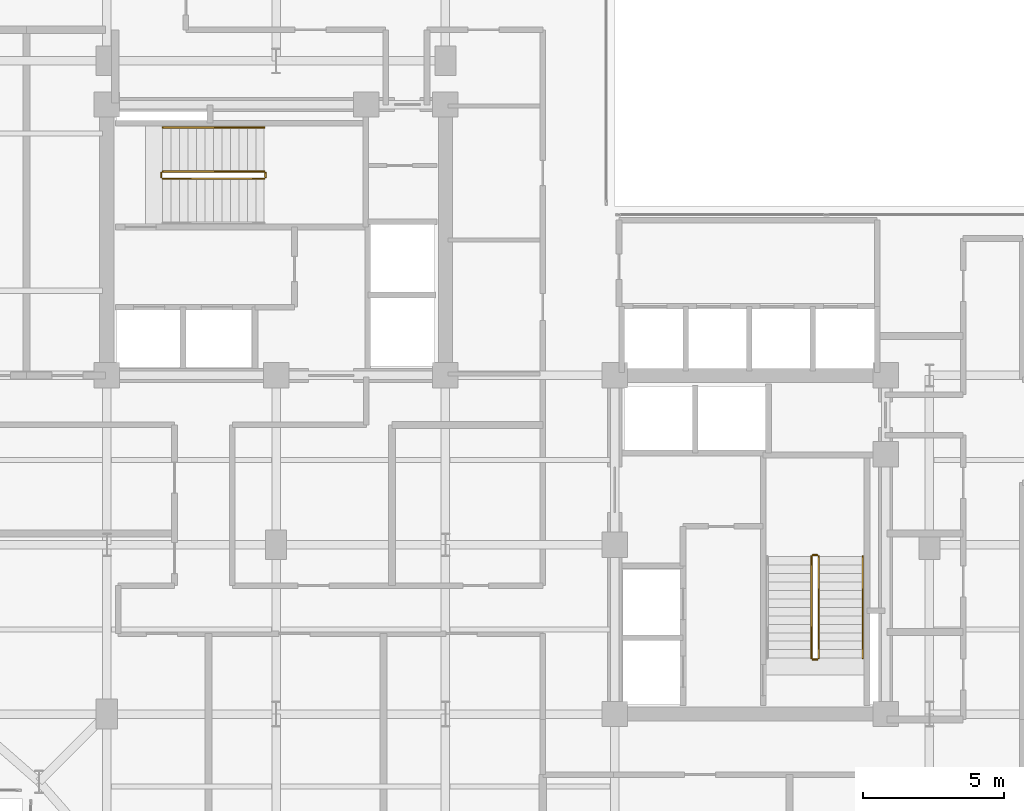
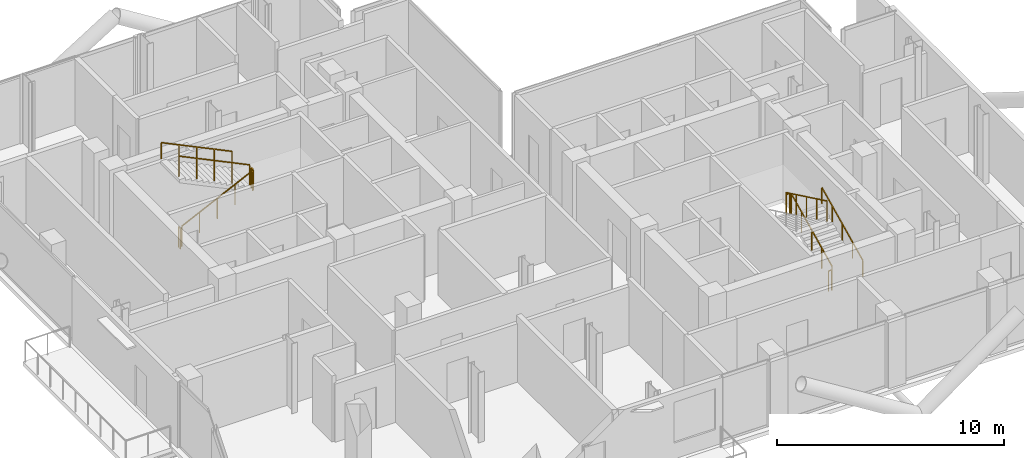
# One storey, part 21 of 21: 10 railings.
"""IFC4 building model written with IfcOpenShell, lengths in metres."""

import ifcopenshell
import ifcopenshell.guid

model = None  # the IFC model being written
_history = None  # IfcOwnerHistory: only IFC2X3 demands one
_inside = {}  # id of a spatial element -> (the spatial element, [elements in it])
_under = {}  # id of a project, library or spatial element -> (it, [spatial elements below it])
_declared = {}  # id of a project -> (the project, [libraries it declares])
_typed = {}  # id of a type object -> (the type object, [elements of that type])
_made_of = {}  # id of a material, layer set ... -> (it, [elements and type objects made of it])


def new_model(schema):
    """Start an empty IFC model of exactly this schema.

    Asked for "IFC4X3", IfcOpenShell would pick the latest addendum, in which some entities
    have other attributes; the version numbers below select the first issue.
    IFC2X3 requires an IfcOwnerHistory on every rooted entity: one is made here for all.
    """
    global model, _history
    if schema == "IFC4X3":
        model = ifcopenshell.file(schema_version=(4, 3, 0, 0))
    else:
        model = ifcopenshell.file(schema=schema)
    _inside.clear()
    _under.clear()
    _declared.clear()
    _typed.clear()
    _made_of.clear()
    _history = None
    if model.schema == "IFC2X3":
        org = make("IfcOrganization", Name="unknown")
        user = make(
            "IfcPersonAndOrganization",
            ThePerson=make("IfcPerson", FamilyName="unknown"),
            TheOrganization=org,
        )
        app = make(
            "IfcApplication",
            ApplicationDeveloper=org,
            Version="unknown",
            ApplicationFullName="unknown",
            ApplicationIdentifier="unknown",
        )
        _history = make(
            "IfcOwnerHistory",
            OwningUser=user,
            OwningApplication=app,
            ChangeAction="ADDED",
            CreationDate=0,
        )
    return model


def make(cls, **values):
    """One entity of the class cls with the attributes given. An attribute that is None is left unset."""
    return model.create_entity(
        cls, **{name: value for name, value in values.items() if value is not None}
    )


def rooted(cls, **values):
    """An entity with a GlobalId (a new one), such as an element, a storey or a relation."""
    return make(cls, GlobalId=ifcopenshell.guid.new(), OwnerHistory=_history, **values)


def si_unit(unit_type, name, prefix=None):
    """IfcSIUnit, for example si_unit("LENGTHUNIT", "METRE", prefix="MILLI")."""
    return make("IfcSIUnit", UnitType=unit_type, Prefix=prefix, Name=name)


def assignment(units):
    """IfcUnitAssignment: the units of a project."""
    return None if units is None else make("IfcUnitAssignment", Units=units)


def point(xyz):
    """IfcCartesianPoint."""
    return None if xyz is None else make("IfcCartesianPoint", Coordinates=xyz)


def direction(xyz):
    """IfcDirection."""
    return None if xyz is None else make("IfcDirection", DirectionRatios=xyz)


def frame(location, z_axis=None, x_axis=None):
    """IfcAxis2Placement3D, a coordinate frame: its origin and axes. An axis left out is left unset."""
    return make(
        "IfcAxis2Placement3D",
        Location=point(location),
        Axis=direction(z_axis),
        RefDirection=direction(x_axis),
    )


def frame_2d(location, x_axis=None):
    """IfcAxis2Placement2D, a coordinate frame in the plane: its origin and x axis."""
    return make(
        "IfcAxis2Placement2D", Location=point(location), RefDirection=direction(x_axis)
    )


def origin():
    """The frame at (0, 0, 0) with its axes left unset."""
    return frame((0.0, 0.0, 0.0))


def origin_2d():
    """The frame at (0, 0) in the plane with its x axis left unset."""
    return frame_2d((0.0, 0.0))


def place(relative_to, where):
    """IfcLocalPlacement: puts the frame where relative to a parent placement (None: the world)."""
    return make(
        "IfcLocalPlacement", PlacementRelTo=relative_to, RelativePlacement=where
    )


def context(
    kind, dimensions, precision=None, world=None, true_north=None, identifier=None
):
    """IfcGeometricRepresentationContext, for example the 3D "Model" context."""
    return make(
        "IfcGeometricRepresentationContext",
        ContextIdentifier=identifier,
        ContextType=kind,
        CoordinateSpaceDimension=dimensions,
        Precision=precision,
        WorldCoordinateSystem=world,
        TrueNorth=true_north,
    )


def subcontext(parent, identifier, kind, view, scale=None):
    """IfcGeometricRepresentationSubContext, for example "Body" below "Model"."""
    return make(
        "IfcGeometricRepresentationSubContext",
        ContextIdentifier=identifier,
        ContextType=kind,
        ParentContext=parent,
        TargetScale=scale,
        TargetView=view,
    )


def project(units=None, contexts=None):
    """IfcProject with its units and contexts."""
    return rooted(
        "IfcProject",
        Name="project",
        RepresentationContexts=contexts,
        UnitsInContext=assignment(units),
    )


def spatial(cls, under=None, at=None, **own):
    """A site, building, storey or space (cls), placed at a placement, below another one or the project."""
    s = rooted(cls, ObjectPlacement=at, **own)
    if under is not None:
        _under.setdefault(under.id(), (under, []))[1].append(s)
    return s


def profile(cls, at=None, kind="AREA", **sizes):
    """A parametric profile (cls). Its sizes go by their IFC names, for example OverallWidth=200.0."""
    return make(cls, ProfileType=kind, Position=at, **sizes)


def rectangle(**sizes):
    """IfcRectangleProfileDef."""
    return profile("IfcRectangleProfileDef", **sizes)


def extrude(swept, where, along, depth):
    """IfcExtrudedAreaSolid: the profile swept, set in the frame where, extruded along a direction by depth."""
    return make(
        "IfcExtrudedAreaSolid",
        SweptArea=swept,
        Position=where,
        ExtrudedDirection=direction(along),
        Depth=depth,
    )


def shape(context_of_items, identifier, shape_type, items):
    """IfcShapeRepresentation: the items that make up one representation, for example the "Body"."""
    return make(
        "IfcShapeRepresentation",
        ContextOfItems=context_of_items,
        RepresentationIdentifier=identifier,
        RepresentationType=shape_type,
        Items=items,
    )


def material(Name=None, Category=None):
    """IfcMaterial."""
    return make("IfcMaterial", Name=Name, Category=Category)


def made_of(thing, what):
    """Note that an element or type object is made of a material, layer set ...; save() writes the relation."""
    if what is not None:
        _made_of.setdefault(what.id(), (what, []))[1].append(thing)
    return thing


def type_object(cls, material=None, **own):
    """A type object (cls), such as IfcWallType, which elements share."""
    return made_of(rooted(cls, **own), material)


def element(
    cls,
    number,
    at=None,
    inside=None,
    cuts=None,
    type_object=None,
    material=None,
    context=None,
    identifier="Body",
    shape_type=None,
    held_by="IfcProductDefinitionShape",
    body=None,
    shapes=None,
    **own,
):
    """One element of the class cls, such as IfcWall. Its Tag is "e" and its number.

    at: its placement. inside: the storey or other place that contains it. cuts: it is an
    opening in that element (IfcRelVoidsElement). A single representation is given by context,
    identifier, shape_type and body (its items); several are given by shapes. held_by: the class
    of the entity that holds the representations. save() writes the other relations.
    """
    e = rooted(cls, Tag="e%d" % number, ObjectPlacement=at, **own)
    if body is not None:
        shapes = [shape(context, identifier, shape_type, body)]
    if shapes is not None:
        e.Representation = make(held_by, Representations=shapes)
    if inside is not None:
        _inside.setdefault(inside.id(), (inside, []))[1].append(e)
    if cuts is not None:
        rooted(
            "IfcRelVoidsElement", RelatingBuildingElement=cuts, RelatedOpeningElement=e
        )
    if type_object is not None:
        _typed.setdefault(type_object.id(), (type_object, []))[1].append(e)
    return made_of(e, material)


def aggregate(whole, parts):
    """IfcRelAggregates: a whole, such as a stair, and the parts it consists of."""
    return rooted("IfcRelAggregates", RelatingObject=whole, RelatedObjects=parts)


def save(model, path):
    """Write the relations noted so far, then the file.

    IfcRelAggregates (storeys below a building ...), IfcRelContainedInSpatialStructure (elements
    in a storey), IfcRelDefinesByType, IfcRelAssociatesMaterial and IfcRelDeclares: one each for
    every whole, place, type object, material and project.
    """
    for whole, parts in _under.values():
        aggregate(whole, parts)
    for where, things in _inside.values():
        rooted(
            "IfcRelContainedInSpatialStructure",
            RelatedElements=things,
            RelatingStructure=where,
        )
    for kind, things in _typed.values():
        rooted("IfcRelDefinesByType", RelatedObjects=things, RelatingType=kind)
    for what, things in _made_of.values():
        rooted("IfcRelAssociatesMaterial", RelatedObjects=things, RelatingMaterial=what)
    for by, libraries in _declared.values():
        rooted("IfcRelDeclares", RelatingContext=by, RelatedDefinitions=libraries)
    model.write(path)


model = new_model("IFC4")

# Units and contexts
model_context = context("Model", 3, precision=1e-05, world=origin(), true_north=direction((0.0, 1.0)))
body_context = subcontext(model_context, "Body", "Model", "MODEL_VIEW")
ifc_project = project(units=[si_unit("LENGTHUNIT", "METRE"), si_unit("AREAUNIT", "SQUARE_METRE"), si_unit("VOLUMEUNIT", "CUBIC_METRE"), si_unit("PLANEANGLEUNIT", "RADIAN"), si_unit("MASSUNIT", "GRAM", prefix="KILO"), si_unit("THERMODYNAMICTEMPERATUREUNIT", "KELVIN"), si_unit("POWERUNIT", "WATT")], contexts=[model_context])

# Site, building, storey
site_placement = place(None, origin())
site = spatial("IfcSite", under=ifc_project, at=site_placement, CompositionType="ELEMENT")
building_placement = place(site_placement, origin())
building = spatial("IfcBuilding", under=site, at=building_placement, Name="Svarakhadi Broadcast Tower", CompositionType="ELEMENT")
storey_placement = place(building_placement, frame((0.0, 0.0, 187.949951171875)))
storey = spatial("IfcBuildingStorey", under=building, at=storey_placement, Name="L46", CompositionType="ELEMENT", Elevation=187.949951171875)

# Railings
ifc_material = material(Name="Anodised Bronze Aluminium AA 6063-T6", Category="aluminium")
railing_type_1 = type_object("IfcRailingType", Name="Guard_Stair_GR01", PredefinedType="GUARDRAIL", material=ifc_material)
railing_1_placement = place(storey_placement, frame((7.97998046875, 24.969970703125, 0.144287109375)))
element("IfcRailing", 1, at=railing_1_placement, inside=storey, type_object=railing_type_1, Name="L46 ST-01 stair guard 1", PredefinedType="GUARDRAIL", context=body_context, shape_type="SweptSolid", body=[
    extrude(rectangle(XDim=0.048095703125, YDim=0.048095703125, at=origin_2d()), frame((0.0, 0.0, 1.09619140625), z_axis=(0.901262522062, 0.0, 0.433273431364), x_axis=(0.0, 1.0, 0.0)), (0.0, 0.0, 1.0), 3.994384765625),
    extrude(rectangle(XDim=0.0419921875, YDim=0.0419921875, at=origin_2d()), origin(), (0.0, 0.0, 1.0), 1.072021484375),
    extrude(rectangle(XDim=0.0419921875, YDim=0.0419921875, at=origin_2d()), frame((0.89990234375, 0.0, 0.4326171875)), (0.0, 0.0, 1.0), 1.072021484375),
    extrude(rectangle(XDim=0.0419921875, YDim=0.0419921875, at=origin_2d()), frame((1.800048828125, 0.0, 0.865234375)), (0.0, 0.0, 1.0), 1.072021484375),
    extrude(rectangle(XDim=0.0419921875, YDim=0.0419921875, at=origin_2d()), frame((2.7001953125, 0.0, 1.298095703125)), (0.0, 0.0, 1.0), 1.072021484375),
    extrude(rectangle(XDim=0.0419921875, YDim=0.0419921875, at=origin_2d()), frame((3.60009765625, 0.0, 1.730712890625)), (0.0, 0.0, 1.0), 1.072021484375),
])
railing_2_placement = place(storey_placement, frame((11.6298828125, 25.02001953125, 1.875)))
element("IfcRailing", 2, at=railing_2_placement, inside=storey, type_object=railing_type_1, Name="L46 ST-01 stair guard 2", PredefinedType="GUARDRAIL", context=body_context, shape_type="SweptSolid", body=[
    extrude(rectangle(XDim=0.048095703125, YDim=0.048095703125, at=origin_2d()), frame((0.0, 0.0, 1.09619140625), z_axis=(0.0, 1.0, 0.0), x_axis=(-1.0, 0.0, 0.0)), (0.0, 0.0, 1.0), 0.159912109375),
    extrude(rectangle(XDim=0.0419921875, YDim=0.0419921875, at=origin_2d()), origin(), (0.0, 0.0, 1.0), 1.072021484375),
    extrude(rectangle(XDim=0.0419921875, YDim=0.0419921875, at=origin_2d()), frame((0.0, 0.159912109375, 0.0)), (0.0, 0.0, 1.0), 1.072021484375),
])
railing_3_placement = place(storey_placement, frame((11.580078125, 25.22998046875, 2.019287109375)))
element("IfcRailing", 3, at=railing_3_placement, inside=storey, type_object=railing_type_1, Name="L46 ST-01 stair guard 3", PredefinedType="GUARDRAIL", context=body_context, shape_type="SweptSolid", body=[
    extrude(rectangle(XDim=0.048095703125, YDim=0.048095703125, at=origin_2d()), frame((0.0, 0.0, 1.09619140625), z_axis=(-0.901262522062, 0.0, 0.433273431364), x_axis=(0.0, -1.0, 0.0)), (0.0, 0.0, 1.0), 3.994384765625),
    extrude(rectangle(XDim=0.0419921875, YDim=0.0419921875, at=origin_2d()), origin(), (0.0, 0.0, 1.0), 1.072021484375),
    extrude(rectangle(XDim=0.0419921875, YDim=0.0419921875, at=origin_2d()), frame((-0.89990234375, 0.0, 0.4326171875)), (0.0, 0.0, 1.0), 1.072021484375),
    extrude(rectangle(XDim=0.0419921875, YDim=0.0419921875, at=origin_2d()), frame((-1.800048828125, 0.0, 0.865234375)), (0.0, 0.0, 1.0), 1.072021484375),
    extrude(rectangle(XDim=0.0419921875, YDim=0.0419921875, at=origin_2d()), frame((-2.7001953125, 0.0, 1.298095703125)), (0.0, 0.0, 1.0), 1.072021484375),
    extrude(rectangle(XDim=0.0419921875, YDim=0.0419921875, at=origin_2d()), frame((-3.60009765625, 0.0, 1.730712890625)), (0.0, 0.0, 1.0), 1.072021484375),
])
railing_4_placement = place(storey_placement, frame((7.929931640625, 25.02001953125, 0.0)))
element("IfcRailing", 4, at=railing_4_placement, inside=storey, type_object=railing_type_1, Name="L46 ST-01 stair guard 4", PredefinedType="GUARDRAIL", context=body_context, shape_type="SweptSolid", body=[
    extrude(rectangle(XDim=0.048095703125, YDim=0.048095703125, at=origin_2d()), frame((0.0, 0.0, 1.09619140625), z_axis=(0.0, 1.0, 0.0), x_axis=(-1.0, 0.0, 0.0)), (0.0, 0.0, 1.0), 0.159912109375),
    extrude(rectangle(XDim=0.0419921875, YDim=0.0419921875, at=origin_2d()), origin(), (0.0, 0.0, 1.0), 1.072021484375),
    extrude(rectangle(XDim=0.0419921875, YDim=0.0419921875, at=origin_2d()), frame((0.0, 0.159912109375, 0.0)), (0.0, 0.0, 1.0), 1.072021484375),
])
railing_5_placement = place(storey_placement, frame((31.22998046875, 7.97998046875, 0.144287109375)))
element("IfcRailing", 5, at=railing_5_placement, inside=storey, type_object=railing_type_1, Name="L46 ST-02 stair guard 1", PredefinedType="GUARDRAIL", context=body_context, shape_type="SweptSolid", body=[
    extrude(rectangle(XDim=0.048095703125, YDim=0.048095703125, at=origin_2d()), frame((0.0, 0.0, 1.09619140625), z_axis=(0.0, 0.901262522062, 0.433273431364), x_axis=(-1.0, 0.0, 0.0)), (0.0, 0.0, 1.0), 3.994384765625),
    extrude(rectangle(XDim=0.0419921875, YDim=0.0419921875, at=origin_2d()), origin(), (0.0, 0.0, 1.0), 1.072021484375),
    extrude(rectangle(XDim=0.0419921875, YDim=0.0419921875, at=origin_2d()), frame((0.0, 0.89990234375, 0.4326171875)), (0.0, 0.0, 1.0), 1.072021484375),
    extrude(rectangle(XDim=0.0419921875, YDim=0.0419921875, at=origin_2d()), frame((0.0, 1.800048828125, 0.865234375)), (0.0, 0.0, 1.0), 1.072021484375),
    extrude(rectangle(XDim=0.0419921875, YDim=0.0419921875, at=origin_2d()), frame((0.0, 2.7001953125, 1.298095703125)), (0.0, 0.0, 1.0), 1.072021484375),
    extrude(rectangle(XDim=0.0419921875, YDim=0.0419921875, at=origin_2d()), frame((0.0, 3.60009765625, 1.730712890625)), (0.0, 0.0, 1.0), 1.072021484375),
])
railing_6_placement = place(storey_placement, frame((31.179931640625, 11.6298828125, 1.875)))
element("IfcRailing", 6, at=railing_6_placement, inside=storey, type_object=railing_type_1, Name="L46 ST-02 stair guard 2", PredefinedType="GUARDRAIL", context=body_context, shape_type="SweptSolid", body=[
    extrude(rectangle(XDim=0.048095703125, YDim=0.048095703125, at=origin_2d()), frame((0.0, 0.0, 1.09619140625), z_axis=(-1.0, 0.0, 0.0), x_axis=(0.0, -1.0, 0.0)), (0.0, 0.0, 1.0), 0.159912109375),
    extrude(rectangle(XDim=0.0419921875, YDim=0.0419921875, at=origin_2d()), origin(), (0.0, 0.0, 1.0), 1.072021484375),
    extrude(rectangle(XDim=0.0419921875, YDim=0.0419921875, at=origin_2d()), frame((-0.159912109375, 0.0, 0.0)), (0.0, 0.0, 1.0), 1.072021484375),
])
railing_7_placement = place(storey_placement, frame((30.969970703125, 11.580078125, 2.019287109375)))
element("IfcRailing", 7, at=railing_7_placement, inside=storey, type_object=railing_type_1, Name="L46 ST-02 stair guard 3", PredefinedType="GUARDRAIL", context=body_context, shape_type="SweptSolid", body=[
    extrude(rectangle(XDim=0.048095703125, YDim=0.048095703125, at=origin_2d()), frame((0.0, 0.0, 1.09619140625), z_axis=(0.0, -0.901262522062, 0.433273431364), x_axis=(1.0, 0.0, 0.0)), (0.0, 0.0, 1.0), 3.994384765625),
    extrude(rectangle(XDim=0.0419921875, YDim=0.0419921875, at=origin_2d()), origin(), (0.0, 0.0, 1.0), 1.072021484375),
    extrude(rectangle(XDim=0.0419921875, YDim=0.0419921875, at=origin_2d()), frame((0.0, -0.89990234375, 0.4326171875)), (0.0, 0.0, 1.0), 1.072021484375),
    extrude(rectangle(XDim=0.0419921875, YDim=0.0419921875, at=origin_2d()), frame((0.0, -1.800048828125, 0.865234375)), (0.0, 0.0, 1.0), 1.072021484375),
    extrude(rectangle(XDim=0.0419921875, YDim=0.0419921875, at=origin_2d()), frame((0.0, -2.7001953125, 1.298095703125)), (0.0, 0.0, 1.0), 1.072021484375),
    extrude(rectangle(XDim=0.0419921875, YDim=0.0419921875, at=origin_2d()), frame((0.0, -3.60009765625, 1.730712890625)), (0.0, 0.0, 1.0), 1.072021484375),
])
railing_8_placement = place(storey_placement, frame((31.179931640625, 7.929931640625, 0.0)))
element("IfcRailing", 8, at=railing_8_placement, inside=storey, type_object=railing_type_1, Name="L46 ST-02 stair guard 4", PredefinedType="GUARDRAIL", context=body_context, shape_type="SweptSolid", body=[
    extrude(rectangle(XDim=0.048095703125, YDim=0.048095703125, at=origin_2d()), frame((0.0, 0.0, 1.09619140625), z_axis=(-1.0, 0.0, 0.0), x_axis=(0.0, -1.0, 0.0)), (0.0, 0.0, 1.0), 0.159912109375),
    extrude(rectangle(XDim=0.0419921875, YDim=0.0419921875, at=origin_2d()), origin(), (0.0, 0.0, 1.0), 1.072021484375),
    extrude(rectangle(XDim=0.0419921875, YDim=0.0419921875, at=origin_2d()), frame((-0.159912109375, 0.0, 0.0)), (0.0, 0.0, 1.0), 1.072021484375),
])
railing_type_2 = type_object("IfcRailingType", Name="Handrail_Stair_HR01", PredefinedType="HANDRAIL", material=ifc_material)
railing_9_placement = place(storey_placement, frame((11.580078125, 26.7900390625, 2.019287109375)))
element("IfcRailing", 9, at=railing_9_placement, inside=storey, type_object=railing_type_2, Name="L46 ST-01 stair handrail 2", PredefinedType="HANDRAIL", context=body_context, shape_type="SweptSolid", body=[
    extrude(rectangle(XDim=0.048095703125, YDim=0.048095703125, at=origin_2d()), frame((0.0, 0.0, 0.8759765625), z_axis=(-0.901262522062, 0.0, 0.433273431364), x_axis=(0.0, -1.0, 0.0)), (0.0, 0.0, 1.0), 3.994384765625),
    extrude(rectangle(XDim=0.0419921875, YDim=0.0419921875, at=origin_2d()), origin(), (0.0, 0.0, 1.0), 0.851806640625),
    extrude(rectangle(XDim=0.0419921875, YDim=0.0419921875, at=origin_2d()), frame((-0.89990234375, 0.0, 0.4326171875)), (0.0, 0.0, 1.0), 0.851806640625),
    extrude(rectangle(XDim=0.0419921875, YDim=0.0419921875, at=origin_2d()), frame((-1.800048828125, 0.0, 0.865234375)), (0.0, 0.0, 1.0), 0.851806640625),
    extrude(rectangle(XDim=0.0419921875, YDim=0.0419921875, at=origin_2d()), frame((-2.7001953125, 0.0, 1.298095703125)), (0.0, 0.0, 1.0), 0.851806640625),
    extrude(rectangle(XDim=0.0419921875, YDim=0.0419921875, at=origin_2d()), frame((-3.60009765625, 0.0, 1.730712890625)), (0.0, 0.0, 1.0), 0.851806640625),
])
railing_10_placement = place(storey_placement, frame((32.7900390625, 7.97998046875, 0.144287109375)))
element("IfcRailing", 10, at=railing_10_placement, inside=storey, type_object=railing_type_2, Name="L46 ST-02 stair handrail 1", PredefinedType="HANDRAIL", context=body_context, shape_type="SweptSolid", body=[
    extrude(rectangle(XDim=0.048095703125, YDim=0.048095703125, at=origin_2d()), frame((0.0, 0.0, 0.8759765625), z_axis=(0.0, 0.901262522062, 0.433273431364), x_axis=(-1.0, 0.0, 0.0)), (0.0, 0.0, 1.0), 3.994384765625),
    extrude(rectangle(XDim=0.0419921875, YDim=0.0419921875, at=origin_2d()), origin(), (0.0, 0.0, 1.0), 0.851806640625),
    extrude(rectangle(XDim=0.0419921875, YDim=0.0419921875, at=origin_2d()), frame((0.0, 0.89990234375, 0.4326171875)), (0.0, 0.0, 1.0), 0.851806640625),
    extrude(rectangle(XDim=0.0419921875, YDim=0.0419921875, at=origin_2d()), frame((0.0, 1.800048828125, 0.865234375)), (0.0, 0.0, 1.0), 0.851806640625),
    extrude(rectangle(XDim=0.0419921875, YDim=0.0419921875, at=origin_2d()), frame((0.0, 2.7001953125, 1.298095703125)), (0.0, 0.0, 1.0), 0.851806640625),
    extrude(rectangle(XDim=0.0419921875, YDim=0.0419921875, at=origin_2d()), frame((0.0, 3.60009765625, 1.730712890625)), (0.0, 0.0, 1.0), 0.851806640625),
])

save(model, "model.ifc")
